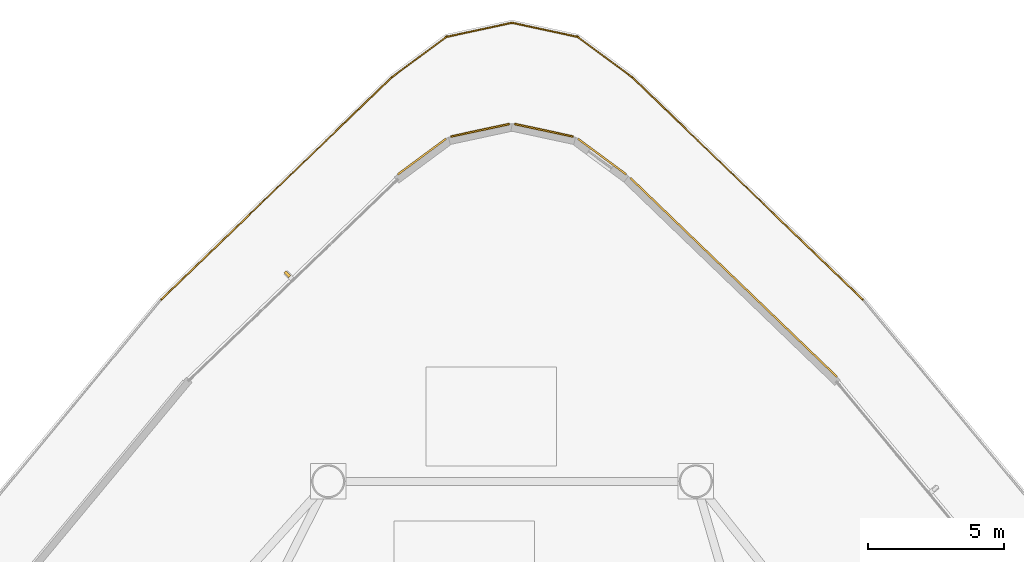
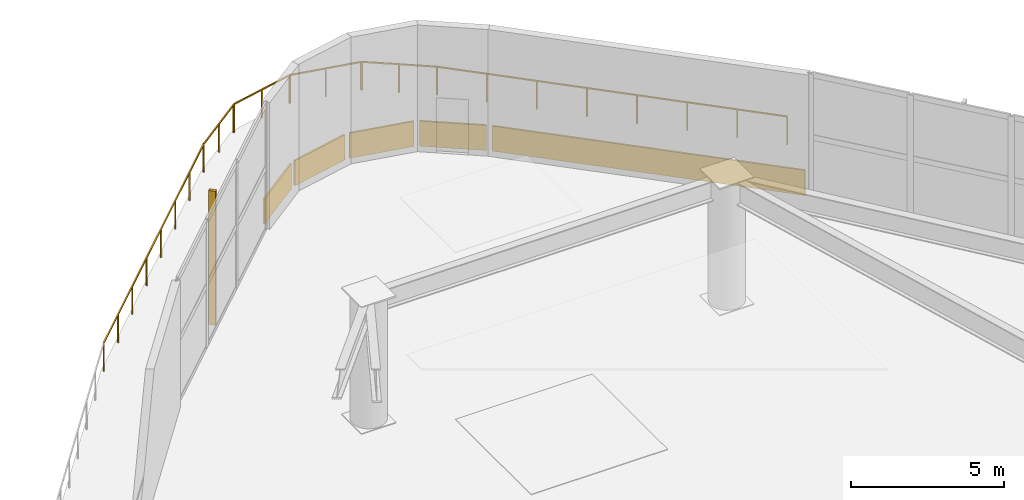
# One storey, part 25 of 25: 6 railings, 5 coverings, 1 shading device.
"""IFC4 building model written with IfcOpenShell, lengths in metres."""

from ifc_helpers import new_model, si_unit, direction, frame, origin, origin_2d, place, context, subcontext, project, spatial, rectangle, extrude, source, transform, mapped, material, layer, layer_set, type_object, type_shapes, element, save


model = new_model("IFC4")

# Units and contexts
model_context = context("Model", 3, precision=1e-05, world=origin(), true_north=direction((0.0, 1.0)))
body_context = subcontext(model_context, "Body", "Model", "MODEL_VIEW")
ifc_project = project(units=[si_unit("LENGTHUNIT", "METRE"), si_unit("AREAUNIT", "SQUARE_METRE"), si_unit("VOLUMEUNIT", "CUBIC_METRE"), si_unit("PLANEANGLEUNIT", "RADIAN"), si_unit("MASSUNIT", "GRAM", prefix="KILO")], contexts=[model_context])

# Site, building, storey
site_placement = place(None, origin())
site = spatial("IfcSite", under=ifc_project, at=site_placement, CompositionType="ELEMENT")
building_placement = place(site_placement, origin())
building = spatial("IfcBuilding", under=site, at=building_placement, Name="Tavelor Broadcast Tower", CompositionType="ELEMENT")
storey_placement = place(building_placement, frame((0.0, 0.0, 11.39990234375)))
storey = spatial("IfcBuildingStorey", under=building, at=storey_placement, Name="L02", CompositionType="ELEMENT", Elevation=11.39990234375)

# Railings
ifc_material_1 = material(Name="Steel S355", Category="steel")
railing_type = type_object("IfcRailingType", Name="Planted Terrace Laminated Glass Balustrade 1150 mm", PredefinedType="BALUSTRADE", material=ifc_material_1)
railing_1_placement = place(storey_placement, frame((54.40380859375, 87.6044921875, 0.0)))
element("IfcRailing", 1, at=railing_1_placement, inside=storey, type_object=railing_type, Name="L02 Cascading Garden Terrace 1 Balustrade #34", PredefinedType="BALUSTRADE", context=body_context, shape_type="SweptSolid", body=[
    extrude(rectangle(XDim=0.048095703125, YDim=0.048095703125, at=origin_2d()), frame((0.0, 0.0, 1.1259765625), z_axis=(-0.804423233449, 0.594056614716, 0.0), x_axis=(-0.594056614716, -0.804423233449, 0.0)), (0.0, 0.0, 1.0), 2.50439453125),
    extrude(rectangle(XDim=0.0419921875, YDim=0.0419921875, at=origin_2d()), origin(), (0.0, 0.0, 1.0), 1.101806640625),
    extrude(rectangle(XDim=0.0419921875, YDim=0.0419921875, at=origin_2d()), frame((-1.00732421875, 0.743896484375, 0.0)), (0.0, 0.0, 1.0), 1.101806640625),
    extrude(rectangle(XDim=0.0419921875, YDim=0.0419921875, at=origin_2d()), frame((-2.0146484375, 1.48779296875, 0.0)), (0.0, 0.0, 1.0), 1.101806640625),
])
railing_2_placement = place(storey_placement, frame((52.427490234375, 89.074951171875, 0.0)))
element("IfcRailing", 2, at=railing_2_placement, inside=storey, type_object=railing_type, Name="L02 Cascading Garden Terrace 1 Balustrade #35", PredefinedType="BALUSTRADE", context=body_context, shape_type="SweptSolid", body=[
    extrude(rectangle(XDim=0.048095703125, YDim=0.048095703125, at=origin_2d()), frame((0.0, 0.0, 1.1259765625), z_axis=(-0.977583633196, 0.210547477087, 0.0), x_axis=(-0.210547477087, -0.977583633196, 0.0)), (0.0, 0.0, 1.0), 2.504638671875),
    extrude(rectangle(XDim=0.0419921875, YDim=0.0419921875, at=origin_2d()), origin(), (0.0, 0.0, 1.0), 1.101806640625),
    extrude(rectangle(XDim=0.0419921875, YDim=0.0419921875, at=origin_2d()), frame((-1.22412109375, 0.263671875, 0.0)), (0.0, 0.0, 1.0), 1.101806640625),
    extrude(rectangle(XDim=0.0419921875, YDim=0.0419921875, at=origin_2d()), frame((-2.448486328125, 0.52734375, 0.0)), (0.0, 0.0, 1.0), 1.101806640625),
])
railing_3_placement = place(storey_placement, frame((50.02099609375, 89.602294921875, 0.0)))
element("IfcRailing", 3, at=railing_3_placement, inside=storey, type_object=railing_type, Name="L02 Cascading Garden Terrace 1 Balustrade #36", PredefinedType="BALUSTRADE", context=body_context, shape_type="SweptSolid", body=[
    extrude(rectangle(XDim=0.048095703125, YDim=0.048095703125, at=origin_2d()), frame((0.0, 0.0, 1.1259765625), z_axis=(-0.977583633196, -0.210547477087, 0.0), x_axis=(0.210547477087, -0.977583633196, 0.0)), (0.0, 0.0, 1.0), 2.504638671875),
    extrude(rectangle(XDim=0.0419921875, YDim=0.0419921875, at=origin_2d()), origin(), (0.0, 0.0, 1.0), 1.101806640625),
    extrude(rectangle(XDim=0.0419921875, YDim=0.0419921875, at=origin_2d()), frame((-1.22412109375, -0.263671875, 0.0)), (0.0, 0.0, 1.0), 1.101806640625),
    extrude(rectangle(XDim=0.0419921875, YDim=0.0419921875, at=origin_2d()), frame((-2.448486328125, -0.52734375, 0.0)), (0.0, 0.0, 1.0), 1.101806640625),
])
railing_4_placement = place(storey_placement, frame((47.61083984375, 89.09228515625, 0.0)))
element("IfcRailing", 4, at=railing_4_placement, inside=storey, type_object=railing_type, Name="L02 Cascading Garden Terrace 1 Balustrade #37", PredefinedType="BALUSTRADE", context=body_context, shape_type="SweptSolid", body=[
    extrude(rectangle(XDim=0.048095703125, YDim=0.048095703125, at=origin_2d()), frame((0.0, 0.0, 1.1259765625), z_axis=(-0.804423233449, -0.594056614716, 0.0), x_axis=(0.594056614716, -0.804423233449, 0.0)), (0.0, 0.0, 1.0), 2.50439453125),
    extrude(rectangle(XDim=0.0419921875, YDim=0.0419921875, at=origin_2d()), origin(), (0.0, 0.0, 1.0), 1.101806640625),
    extrude(rectangle(XDim=0.0419921875, YDim=0.0419921875, at=origin_2d()), frame((-1.00732421875, -0.743896484375, 0.0)), (0.0, 0.0, 1.0), 1.101806640625),
    extrude(rectangle(XDim=0.0419921875, YDim=0.0419921875, at=origin_2d()), frame((-2.0146484375, -1.48779296875, 0.0)), (0.0, 0.0, 1.0), 1.101806640625),
])
railing_5_placement = place(storey_placement, frame((45.606201171875, 87.61279296875, 0.0)))
element("IfcRailing", 5, at=railing_5_placement, inside=storey, type_object=railing_type, Name="L02 Cascading Garden Terrace 1 Balustrade #38", PredefinedType="BALUSTRADE", context=body_context, shape_type="SweptSolid", body=[
    extrude(rectangle(XDim=0.048095703125, YDim=0.048095703125, at=origin_2d()), frame((0.0, 0.0, 1.1259765625), z_axis=(-0.72030220878, -0.69366038378, 0.0), x_axis=(0.69366038378, -0.72030220878, 0.0)), (0.0, 0.0, 1.0), 11.7939453125),
    extrude(rectangle(XDim=0.0419921875, YDim=0.0419921875, at=origin_2d()), origin(), (0.0, 0.0, 1.0), 1.101806640625),
    extrude(rectangle(XDim=0.0419921875, YDim=0.0419921875, at=origin_2d()), frame((-1.213623046875, -1.168701171875, 0.0)), (0.0, 0.0, 1.0), 1.101806640625),
    extrude(rectangle(XDim=0.0419921875, YDim=0.0419921875, at=origin_2d()), frame((-2.42724609375, -2.33740234375, 0.0)), (0.0, 0.0, 1.0), 1.101806640625),
    extrude(rectangle(XDim=0.0419921875, YDim=0.0419921875, at=origin_2d()), frame((-3.640869140625, -3.506103515625, 0.0)), (0.0, 0.0, 1.0), 1.101806640625),
    extrude(rectangle(XDim=0.0419921875, YDim=0.0419921875, at=origin_2d()), frame((-4.854248046875, -4.6748046875, 0.0)), (0.0, 0.0, 1.0), 1.101806640625),
    extrude(rectangle(XDim=0.0419921875, YDim=0.0419921875, at=origin_2d()), frame((-6.06787109375, -5.843505859375, 0.0)), (0.0, 0.0, 1.0), 1.101806640625),
    extrude(rectangle(XDim=0.0419921875, YDim=0.0419921875, at=origin_2d()), frame((-7.281494140625, -7.01220703125, 0.0)), (0.0, 0.0, 1.0), 1.101806640625),
    extrude(rectangle(XDim=0.0419921875, YDim=0.0419921875, at=origin_2d()), frame((-8.4951171875, -8.180908203125, 0.0)), (0.0, 0.0, 1.0), 1.101806640625),
])
railing_6_placement = place(storey_placement, frame((62.888916015625, 79.431884765625, 0.0)))
element("IfcRailing", 6, at=railing_6_placement, inside=storey, type_object=railing_type, Name="L02 Cascading Garden Terrace 1 Balustrade #63", PredefinedType="BALUSTRADE", context=body_context, shape_type="SweptSolid", body=[
    extrude(rectangle(XDim=0.048095703125, YDim=0.048095703125, at=origin_2d()), frame((0.0, 0.0, 1.1259765625), z_axis=(-0.72030220878, 0.69366038378, 0.0), x_axis=(-0.69366038378, -0.72030220878, 0.0)), (0.0, 0.0, 1.0), 11.7939453125),
    extrude(rectangle(XDim=0.0419921875, YDim=0.0419921875, at=origin_2d()), origin(), (0.0, 0.0, 1.0), 1.101806640625),
    extrude(rectangle(XDim=0.0419921875, YDim=0.0419921875, at=origin_2d()), frame((-1.213623046875, 1.168701171875, 0.0)), (0.0, 0.0, 1.0), 1.101806640625),
    extrude(rectangle(XDim=0.0419921875, YDim=0.0419921875, at=origin_2d()), frame((-2.42724609375, 2.33740234375, 0.0)), (0.0, 0.0, 1.0), 1.101806640625),
    extrude(rectangle(XDim=0.0419921875, YDim=0.0419921875, at=origin_2d()), frame((-3.640869140625, 3.506103515625, 0.0)), (0.0, 0.0, 1.0), 1.101806640625),
    extrude(rectangle(XDim=0.0419921875, YDim=0.0419921875, at=origin_2d()), frame((-4.854248046875, 4.6748046875, 0.0)), (0.0, 0.0, 1.0), 1.101806640625),
    extrude(rectangle(XDim=0.0419921875, YDim=0.0419921875, at=origin_2d()), frame((-6.06787109375, 5.843505859375, 0.0)), (0.0, 0.0, 1.0), 1.101806640625),
    extrude(rectangle(XDim=0.0419921875, YDim=0.0419921875, at=origin_2d()), frame((-7.281494140625, 7.01220703125, 0.0)), (0.0, 0.0, 1.0), 1.101806640625),
    extrude(rectangle(XDim=0.0419921875, YDim=0.0419921875, at=origin_2d()), frame((-8.4951171875, 8.180908203125, 0.0)), (0.0, 0.0, 1.0), 1.101806640625),
])

# Coverings
ifc_material_2 = material(Name="Kiln-Fired Glazed Terracotta", Category="masonry")
ifc_layer = layer(ifc_material_2, 0.06494140625)
ifc_layer_set = layer_set([ifc_layer], Name="Kiln-Fired Glazed Terracotta")
covering_type = type_object("IfcCoveringType", Name="Ribbed Terracotta Rainscreen Spandrel Cladding 65 mm", PredefinedType="CLADDING", material=ifc_layer_set)
covering_1_placement = place(storey_placement, frame((53.310546875, 84.68212890625, 0.050048828125), z_axis=(0.0, 0.0, 1.0), x_axis=(-0.80437563527, 0.594121062902, 0.0)))
element("IfcCovering", 7, at=covering_1_placement, inside=storey, type_object=covering_type, Name="L02 Terracotta Spandrel Rainscreen 01", PredefinedType="CLADDING", context=body_context, shape_type="SweptSolid", body=[
    extrude(rectangle(XDim=2.199462890625, YDim=0.06494140625, at=origin_2d()), origin(), (0.0, 0.0, 1.0), 1.0),
])
for number, where, z_axis, x_axis, name in (
    (8, (51.1728515625, 85.6474609375, 0.050048828125), (0.0, 0.0, 1.0), (-0.977599937765, 0.210471759821, 0.0), "L02 Terracotta Spandrel Rainscreen 02"),
    (9, (48.8271484375, 85.6474609375, 0.050048828125), (0.0, 0.0, 1.0), (-0.977599937765, -0.210471759821, 0.0), "L02 Terracotta Spandrel Rainscreen 03"),
):
    element("IfcCovering", number, at=place(storey_placement, frame(where, z_axis=z_axis, x_axis=x_axis)), inside=storey, type_object=covering_type, Name=name, PredefinedType="CLADDING", context=body_context, shape_type="SweptSolid", body=[
        extrude(rectangle(XDim=2.19921875, YDim=0.06494140625, at=origin_2d()), origin(), (0.0, 0.0, 1.0), 1.0),
    ])
covering_2_placement = place(storey_placement, frame((46.689453125, 84.68212890625, 0.050048828125), z_axis=(0.0, 0.0, 1.0), x_axis=(-0.80437563527, -0.594121062902, 0.0)))
element("IfcCovering", 10, at=covering_2_placement, inside=storey, type_object=covering_type, Name="L02 Terracotta Spandrel Rainscreen 04", PredefinedType="CLADDING", context=body_context, shape_type="SweptSolid", body=[
    extrude(rectangle(XDim=2.199462890625, YDim=0.06494140625, at=origin_2d()), origin(), (0.0, 0.0, 1.0), 1.0),
])
covering_3_placement = place(storey_placement, frame((58.14111328125, 80.246826171875, 0.050048828125), z_axis=(0.0, 0.0, 1.0), x_axis=(-0.720309024888, 0.693653305813, 0.0)))
element("IfcCovering", 11, at=covering_3_placement, inside=storey, type_object=covering_type, Name="L02 Terracotta Spandrel Rainscreen 30", PredefinedType="CLADDING", context=body_context, shape_type="SweptSolid", body=[
    extrude(rectangle(XDim=10.533203125, YDim=0.06494140625, at=origin_2d()), origin(), (0.0, 0.0, 1.0), 1.0),
])

# Shading device
shading_device_type = type_object("IfcShadingDeviceType", Name="Extruded Terracotta Baguette Sun-Screen 110x240", PredefinedType="JALOUSIE", material=ifc_material_2)
shared_shape = source(origin(), body_context, "Body", "SweptSolid", [
    extrude(rectangle(XDim=0.110107421875, YDim=0.239990234375, at=origin_2d()), origin(), (0.0, 0.0, 1.0), 5.340087890625),
])
type_shapes(shading_device_type, [shared_shape])
shading_device_placement = place(storey_placement, frame((41.747802734375, 80.3623046875, -0.31005859375), z_axis=(0.0, 0.0, 1.0), x_axis=(-0.720309024888, -0.693653305813, 0.0)))
element("IfcShadingDevice", 12, at=shading_device_placement, inside=storey, type_object=shading_device_type, Name="L02 Terracotta Baguette Fin 7", PredefinedType="JALOUSIE", context=body_context, shape_type="MappedRepresentation", body=[
    mapped(shared_shape, transform((0.0, 0.0, 0.0), scale=1.0)),
])

save(model, "model.ifc")
